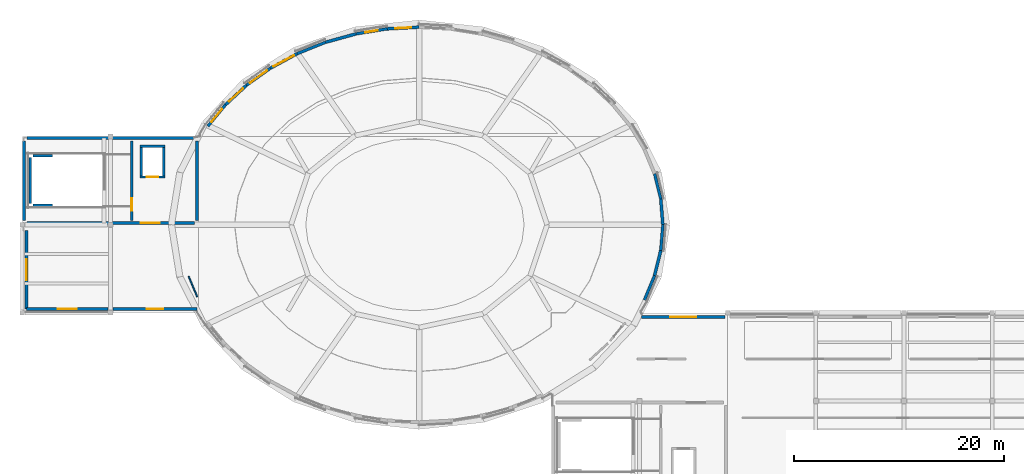
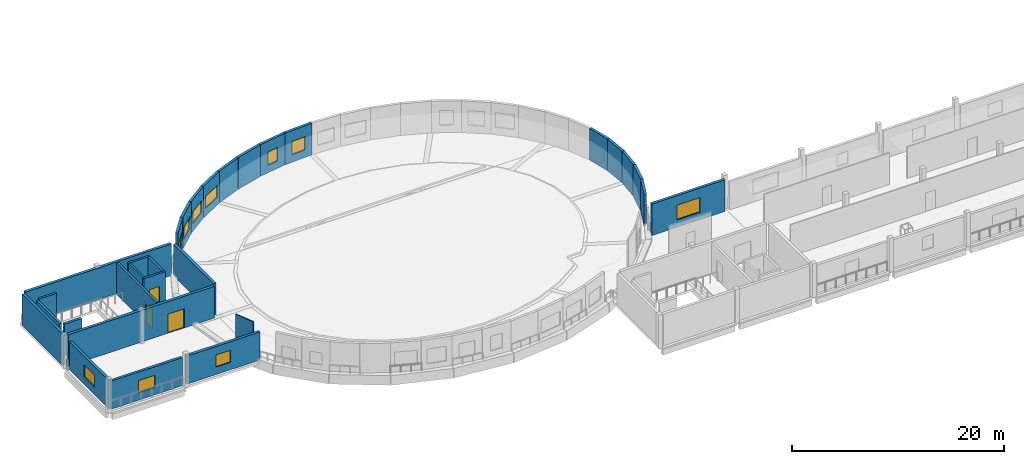
# One storey, part 8 of 16: 30 walls, 10 windows, 3 doors, 13 openings.
"""IFC4 building model written with IfcOpenShell, lengths in metres."""

from ifc_helpers import new_model, si_unit, derived_unit, direction, frame, frame_2d, origin, place, context, subcontext, project, spatial, rectangle, extrude, material, layer, layer_set, type_object, element, fill, save


model = new_model("IFC4")

# Units and contexts
model_context = context("Model", 3, precision=1e-05, world=origin(), true_north=direction((0.0, 1.0)))
body_context = subcontext(model_context, "Body", "Model", "MODEL_VIEW")
ifc_project = project(units=[si_unit("LENGTHUNIT", "METRE"), si_unit("AREAUNIT", "SQUARE_METRE"), si_unit("VOLUMEUNIT", "CUBIC_METRE"), si_unit("PLANEANGLEUNIT", "RADIAN"), si_unit("MASSUNIT", "GRAM", prefix="KILO"), derived_unit("THERMALTRANSMITTANCEUNIT", [(si_unit("POWERUNIT", "WATT"), 1), (si_unit("LENGTHUNIT", "METRE"), -2), (si_unit("THERMODYNAMICTEMPERATUREUNIT", "KELVIN"), -1)])], contexts=[model_context])

# Site, building, storey
site_placement = place(None, origin())
site = spatial("IfcSite", under=ifc_project, at=site_placement, CompositionType="ELEMENT")
building_placement = place(site_placement, origin())
building = spatial("IfcBuilding", under=site, at=building_placement, Name="Elbkamm Science Centre", CompositionType="ELEMENT")
storey_placement = place(building_placement, frame((0.0, 0.0, 21.60009765625)))
storey = spatial("IfcBuildingStorey", under=building, at=storey_placement, Name="L05", CompositionType="ELEMENT", Elevation=21.60009765625)

# Walls
ifc_material_1 = material(Name="Reinforced concrete C40/50", Category="concrete")
ifc_layer_1 = layer(ifc_material_1, 0.25)
ifc_layer_set_1 = layer_set([ifc_layer_1], Name="Reinforced concrete C40/50")
wall_type_1 = type_object("IfcWallType", Name="WL-CORE-250", PredefinedType="SHEAR", material=ifc_layer_set_1)
wall_1_placement = place(storey_placement, frame((25.93994140625, 69.219970703125, 0.0), z_axis=(0.0, 0.0, 1.0), x_axis=(0.0, 1.0, 0.0)))
element("IfcWall", 1, at=wall_1_placement, inside=storey, type_object=wall_type_1, Name="L05 ST-C1 Shaft Bearing Wall W", PredefinedType="SHEAR", context=body_context, shape_type="SweptSolid", body=[
    extrude(rectangle(XDim=4.360107421875, YDim=0.25, at=frame_2d((2.18017578125, 0.0))), origin(), (0.0, 0.0, 1.0), 3.639892578125),
])
for number, where, z_axis, x_axis, name in (
    (2, (26.18994140625, 69.02001953125, 0.0), (0.0, 0.0, 1.0), (1.0, 0.0, 0.0), "L05 ST-C1 Shaft Bearing Wall S"),
    (3, (26.18994140625, 73.780029296875, 0.0), (0.0, 0.0, 1.0), (1.0, 0.0, 0.0), "L05 ST-C1 Shaft Bearing Wall N"),
):
    element("IfcWall", number, at=place(storey_placement, frame(where, z_axis=z_axis, x_axis=x_axis)), inside=storey, type_object=wall_type_1, Name=name, PredefinedType="SHEAR", context=body_context, shape_type="SweptSolid", body=[
        extrude(rectangle(XDim=1.89013671875, YDim=0.25, at=frame_2d((0.945068359375, 0.0))), origin(), (0.0, 0.0, 1.0), 3.639892578125),
    ])

# Wall, opening, door
wall_2_placement = place(storey_placement, frame((35.6201171875, 67.6201171875, 0.0), z_axis=(0.0, 0.0, 1.0), x_axis=(0.0, 1.0, 0.0)))
wall_2 = element("IfcWall", 4, at=wall_2_placement, inside=storey, type_object=wall_type_1, Name="L05 C1 Stairwell Compartment Wall", PredefinedType="SHEAR", context=body_context, shape_type="SweptSolid", body=[
    extrude(rectangle(XDim=7.559814453125, YDim=0.25, at=frame_2d((3.77978515625, 0.0))), origin(), (0.0, 0.0, 1.0), 3.639892578125),
])
opening_1_placement = place(wall_2_placement, frame((0.89990234375, 0.0, 0.0)))
opening_1 = element("IfcOpeningElement", 5, at=opening_1_placement, cuts=wall_2, Name="Opening DC-02", PredefinedType="OPENING", context=body_context, shape_type="SweptSolid", body=[
    extrude(rectangle(XDim=1.199951171875, YDim=2.199951171875, at=frame_2d((0.60009765625, 1.10009765625))), frame((0.0, 0.136962890625, 0.0), z_axis=(0.0, -1.0, 0.0), x_axis=(1.0, 0.0, 0.0)), (0.0, 0.0, 1.0), 0.27392578125),
])
ifc_material_2 = material(Name="Fire-rated steel acoustic door", Category="steel")
ifc_layer_2 = layer(ifc_material_2, 0.050048828125)
ifc_layer_set_2 = layer_set([ifc_layer_2], Name="Fire-rated steel acoustic door")
door_type_1 = type_object("IfcDoorType", Name="DR-CORE-1200x2200", OperationType="NOTDEFINED", PredefinedType="DOOR", material=ifc_layer_set_2)
door_1_placement = place(opening_1_placement, origin())
door_1 = element("IfcDoor", 6, at=door_1_placement, inside=storey, type_object=door_type_1, Name="L05 ST-C1 Stairwell Fire Door", OperationType="SINGLE_SWING_LEFT", OverallHeight=2.199951171875, OverallWidth=1.199951171875, PredefinedType="DOOR", context=body_context, shape_type="SweptSolid", body=[
    extrude(rectangle(XDim=1.199951171875, YDim=2.199951171875, at=frame_2d((0.60009765625, 1.10009765625))), frame((0.0, 0.02490234375, 0.0), z_axis=(0.0, -1.0, 0.0), x_axis=(1.0, 0.0, 0.0)), (0.0, 0.0, 1.0), 0.050048828125),
])
fill(opening_1, door_1)

ifc_layer_3 = layer(ifc_material_1, 0.300048828125)
ifc_layer_set_3 = layer_set([ifc_layer_3], Name="Reinforced concrete C40/50")
wall_type_2 = type_object("IfcWallType", Name="WL-CORE-300", PredefinedType="SHEAR", material=ifc_layer_set_3)
wall_3_placement = place(storey_placement, frame((25.6201171875, 67.35009765625, 0.0), z_axis=(0.0, 0.0, 1.0), x_axis=(1.0, 0.0, 0.0)))
wall_3 = element("IfcWall", 7, at=wall_3_placement, inside=storey, type_object=wall_type_2, Name="L05 Core C1 Northwest Planetarium and Exhibition Core Shear Wall S", PredefinedType="SHEAR", context=body_context, shape_type="SweptSolid", body=[
    extrude(rectangle(XDim=15.9599609375, YDim=0.300048828125, at=frame_2d((7.97998046875, 0.0))), origin(), (0.0, 0.0, 1.0), 3.639892578125),
])
opening_2_placement = place(wall_3_placement, frame((10.860107421875, 0.0, 0.0)))
opening_2 = element("IfcOpeningElement", 8, at=opening_2_placement, cuts=wall_3, Name="Opening DC-01", PredefinedType="OPENING", context=body_context, shape_type="SweptSolid", body=[
    extrude(rectangle(XDim=1.800048828125, YDim=2.199951171875, at=frame_2d((0.89990234375, 1.10009765625))), frame((0.0, 0.162109375, 0.0), z_axis=(0.0, -1.0, 0.0), x_axis=(1.0, 0.0, 0.0)), (0.0, 0.0, 1.0), 0.323974609375),
])
ifc_layer_4 = layer(ifc_material_2, 0.050048828125)
ifc_layer_set_4 = layer_set([ifc_layer_4], Name="Fire-rated steel acoustic door")
door_type_2 = type_object("IfcDoorType", Name="DR-CORE-1800x2200", OperationType="DOUBLE_DOOR_SINGLE_SWING", PredefinedType="DOOR", material=ifc_layer_set_4)
door_2_placement = place(opening_2_placement, origin())
door_2 = element("IfcDoor", 9, at=door_2_placement, inside=storey, type_object=door_type_2, Name="L05 C1 Core Lobby Fire Door", OperationType="DOUBLE_DOOR_SINGLE_SWING", OverallHeight=2.199951171875, OverallWidth=1.800048828125, PredefinedType="DOOR", context=body_context, shape_type="SweptSolid", body=[
    extrude(rectangle(XDim=1.800048828125, YDim=2.199951171875, at=frame_2d((0.89990234375, 1.10009765625))), frame((0.0, 0.02490234375, 0.0), z_axis=(0.0, -1.0, 0.0), x_axis=(1.0, 0.0, 0.0)), (0.0, 0.0, 1.0), 0.050048828125),
])
fill(opening_2, door_2)

# Walls
wall_4_placement = place(storey_placement, frame((25.6201171875, 75.449951171875, 0.0), z_axis=(0.0, 0.0, 1.0), x_axis=(1.0, 0.0, 0.0)))
element("IfcWall", 10, at=wall_4_placement, inside=storey, type_object=wall_type_2, Name="L05 Core C1 Northwest Planetarium and Exhibition Core Shear Wall N", PredefinedType="SHEAR", context=body_context, shape_type="SweptSolid", body=[
    extrude(rectangle(XDim=15.9599609375, YDim=0.300048828125, at=frame_2d((7.97998046875, 0.0))), origin(), (0.0, 0.0, 1.0), 3.639892578125),
])
for number, where, z_axis, x_axis, name in (
    (11, (25.35009765625, 67.6201171875, 0.0), (0.0, 0.0, 1.0), (0.0, 1.0, 0.0), "L05 Core C1 Northwest Planetarium and Exhibition Core Shear Wall W"),
    (12, (41.85009765625, 67.6201171875, 0.0), (0.0, 0.0, 1.0), (0.0, 1.0, 0.0), "L05 Core C1 Northwest Planetarium and Exhibition Core Shear Wall E"),
):
    element("IfcWall", number, at=place(storey_placement, frame(where, z_axis=z_axis, x_axis=x_axis)), inside=storey, type_object=wall_type_2, Name=name, PredefinedType="SHEAR", context=body_context, shape_type="SweptSolid", body=[
        extrude(rectangle(XDim=7.559814453125, YDim=0.300048828125, at=frame_2d((3.77978515625, 0.0))), origin(), (0.0, 0.0, 1.0), 3.639892578125),
    ])

# Wall, opening, window
ifc_material_3 = material(Name="White precast concrete C40/50", Category="concrete")
ifc_layer_5 = layer(ifc_material_3, 0.27001953125)
ifc_layer_set_5 = layer_set([ifc_layer_5], Name="White precast concrete C40/50")
wall_type_3 = type_object("IfcWallType", Name="WL-EXT-270", PredefinedType="SOLIDWALL", material=ifc_layer_set_5)
wall_5_placement = place(storey_placement, frame((42.872802734375, 76.579833984375, 0.0), z_axis=(0.0, 0.0, 1.0), x_axis=(0.634656882202, 0.772794048809, 0.0)))
wall_5 = element("IfcWall", 13, at=wall_5_placement, inside=storey, type_object=wall_type_3, Name="L05 Exterior Wall 0311", PredefinedType="SOLIDWALL", context=body_context, shape_type="SweptSolid", body=[
    extrude(rectangle(XDim=2.6494140625, YDim=0.27001953125, at=frame_2d((1.32470703125, 0.0))), origin(), (0.0, 0.0, 1.0), 3.639892578125),
])
opening_3_placement = place(wall_5_placement, frame((0.524658203125, 0.0, 0.85009765625)))
opening_3 = element("IfcOpeningElement", 14, at=opening_3_placement, cuts=wall_5, Name="Opening W-03", PredefinedType="OPENING", context=body_context, shape_type="SweptSolid", body=[
    extrude(rectangle(XDim=1.60009765625, YDim=1.39990234375, at=frame_2d((0.800048828125, 0.699951171875))), frame((0.0, 0.14697265625, 0.0), z_axis=(0.0, -1.0, 0.0), x_axis=(1.0, 0.0, 0.0)), (0.0, 0.0, 1.0), 0.2939453125),
])
ifc_material_4 = material(Name="Thermally broken aluminium and triple solar glass", Category="aluminium")
ifc_layer_6 = layer(ifc_material_4, 0.06005859375)
ifc_layer_set_6 = layer_set([ifc_layer_6], Name="Thermally broken aluminium and triple solar glass")
window_type_1 = type_object("IfcWindowType", Name="WIN-1600x1400", PartitioningType="SINGLE_PANEL", PredefinedType="WINDOW", material=ifc_layer_set_6)
window_1_placement = place(opening_3_placement, origin())
window_1 = element("IfcWindow", 15, at=window_1_placement, inside=storey, type_object=window_type_1, Name="L05 Facade Window 0082", OverallHeight=1.39990234375, OverallWidth=1.60009765625, PartitioningType="SINGLE_PANEL", PredefinedType="WINDOW", context=body_context, shape_type="SweptSolid", body=[
    extrude(rectangle(XDim=1.60009765625, YDim=1.39990234375, at=frame_2d((0.800048828125, 0.699951171875))), frame((0.0, 0.030029296875, 0.0), z_axis=(0.0, -1.0, 0.0), x_axis=(1.0, 0.0, 0.0)), (0.0, 0.0, 1.0), 0.06005859375),
])
fill(opening_3, window_1)

wall_6_placement = place(storey_placement, frame((46.552978515625, 80.481201171875, 0.0), z_axis=(0.0, 0.0, 1.0), x_axis=(0.813998177016, 0.580867427056, 0.0)))
wall_6 = element("IfcWall", 16, at=wall_6_placement, inside=storey, type_object=wall_type_3, Name="L05 Exterior Wall 0313", PredefinedType="SOLIDWALL", context=body_context, shape_type="SweptSolid", body=[
    extrude(rectangle(XDim=2.803466796875, YDim=0.27001953125, at=frame_2d((1.40185546875, 0.0))), origin(), (0.0, 0.0, 1.0), 3.639892578125),
])
opening_4_placement = place(wall_6_placement, frame((0.401611328125, 0.0, 0.85009765625)))
opening_4 = element("IfcOpeningElement", 17, at=opening_4_placement, cuts=wall_6, Name="Opening W-05", PredefinedType="OPENING", context=body_context, shape_type="SweptSolid", body=[
    extrude(rectangle(XDim=2.0, YDim=1.39990234375, at=frame_2d((1.0, 0.699951171875))), frame((0.0, 0.14697265625, 0.0), z_axis=(0.0, -1.0, 0.0), x_axis=(1.0, 0.0, 0.0)), (0.0, 0.0, 1.0), 0.2939453125),
])
ifc_layer_7 = layer(ifc_material_4, 0.06005859375)
ifc_layer_set_7 = layer_set([ifc_layer_7], Name="Thermally broken aluminium and triple solar glass")
window_type_2 = type_object("IfcWindowType", Name="WIN-2000x1400", PartitioningType="DOUBLE_PANEL_VERTICAL", PredefinedType="WINDOW", material=ifc_layer_set_7)
window_2_placement = place(opening_4_placement, origin())
window_2 = element("IfcWindow", 18, at=window_2_placement, inside=storey, type_object=window_type_2, Name="L05 Facade Window 0084", OverallHeight=1.39990234375, OverallWidth=2.0, PartitioningType="SINGLE_PANEL", PredefinedType="WINDOW", context=body_context, shape_type="SweptSolid", body=[
    extrude(rectangle(XDim=2.0, YDim=1.39990234375, at=frame_2d((1.0, 0.699951171875))), frame((0.0, 0.030029296875, 0.0), z_axis=(0.0, -1.0, 0.0), x_axis=(1.0, 0.0, 0.0)), (0.0, 0.0, 1.0), 0.06005859375),
])
fill(opening_4, window_2)

# Wall
wall_7_placement = place(storey_placement, frame((51.362060546875, 83.4833984375, 0.0), z_axis=(0.0, 0.0, 1.0), x_axis=(0.928103923172, 0.372321242736, 0.0)))
element("IfcWall", 19, at=wall_7_placement, inside=storey, type_object=wall_type_3, Name="L05 Exterior Wall 0315", PredefinedType="SOLIDWALL", context=body_context, shape_type="SweptSolid", body=[
    extrude(rectangle(XDim=2.939697265625, YDim=0.27001953125, at=frame_2d((1.4697265625, 0.0))), origin(), (0.0, 0.0, 1.0), 3.639892578125),
])

# Wall, opening, window
wall_8_placement = place(storey_placement, frame((56.97314453125, 85.3740234375, 0.0), z_axis=(0.0, 0.0, 1.0), x_axis=(0.987157109387, 0.159752437809, 0.0)))
wall_8 = element("IfcWall", 20, at=wall_8_placement, inside=storey, type_object=wall_type_3, Name="L05 Exterior Wall 0317", PredefinedType="SOLIDWALL", context=body_context, shape_type="SweptSolid", body=[
    extrude(rectangle(XDim=3.02587890625, YDim=0.27001953125, at=frame_2d((1.512939453125, 0.0))), origin(), (0.0, 0.0, 1.0), 3.639892578125),
])
opening_5_placement = place(wall_8_placement, frame((0.9130859375, 0.0, 0.85009765625)))
opening_5 = element("IfcOpeningElement", 21, at=opening_5_placement, cuts=wall_8, Name="Opening W-09", PredefinedType="OPENING", context=body_context, shape_type="SweptSolid", body=[
    extrude(rectangle(XDim=1.199951171875, YDim=1.550048828125, at=frame_2d((0.60009765625, 0.77490234375))), frame((0.0, 0.14697265625, 0.0), z_axis=(0.0, -1.0, 0.0), x_axis=(1.0, 0.0, 0.0)), (0.0, 0.0, 1.0), 0.2939453125),
])
ifc_layer_8 = layer(ifc_material_4, 0.06005859375)
ifc_layer_set_8 = layer_set([ifc_layer_8], Name="Thermally broken aluminium and triple solar glass")
window_type_3 = type_object("IfcWindowType", Name="WIN-1200x1550", PartitioningType="SINGLE_PANEL", PredefinedType="WINDOW", material=ifc_layer_set_8)
window_3_placement = place(opening_5_placement, origin())
window_3 = element("IfcWindow", 22, at=window_3_placement, inside=storey, type_object=window_type_3, Name="L05 Facade Window 0088", OverallHeight=1.550048828125, OverallWidth=1.199951171875, PartitioningType="SINGLE_PANEL", PredefinedType="WINDOW", context=body_context, shape_type="SweptSolid", body=[
    extrude(rectangle(XDim=1.199951171875, YDim=1.550048828125, at=frame_2d((0.60009765625, 0.77490234375))), frame((0.0, 0.030029296875, 0.0), z_axis=(0.0, -1.0, 0.0), x_axis=(1.0, 0.0, 0.0)), (0.0, 0.0, 1.0), 0.06005859375),
])
fill(opening_5, window_3)

# Walls
wall_9_placement = place(storey_placement, frame((85.43359375, 72.05029296875, 0.0), z_axis=(0.0, 0.0, 1.0), x_axis=(0.237544068793, -0.971376762838, 0.0)))
element("IfcWall", 23, at=wall_9_placement, inside=storey, type_object=wall_type_3, Name="L05 Exterior Wall 0329", PredefinedType="SOLIDWALL", context=body_context, shape_type="SweptSolid", body=[
    extrude(rectangle(XDim=2.475830078125, YDim=0.27001953125, at=frame_2d((1.23779296875, 0.0))), origin(), (0.0, 0.0, 1.0), 3.639892578125),
])
wall_10_placement = place(storey_placement, frame((86.21875, 67.199951171875, 0.0), z_axis=(0.0, 0.0, 1.0), x_axis=(-0.080310831045, -0.996769868333, 0.0)))
element("IfcWall", 24, at=wall_10_placement, inside=storey, type_object=wall_type_3, Name="L05 Exterior Wall 0331", PredefinedType="SOLIDWALL", context=body_context, shape_type="SweptSolid", body=[
    extrude(rectangle(XDim=2.453125, YDim=0.27001953125, at=frame_2d((1.2265625, 0.0))), origin(), (0.0, 0.0, 1.0), 3.639892578125),
])
wall_11_placement = place(storey_placement, frame((85.43359375, 62.349609375, 0.0), z_axis=(0.0, 0.0, 1.0), x_axis=(-0.38502143733, -0.922907629612, 0.0)))
element("IfcWall", 25, at=wall_11_placement, inside=storey, type_object=wall_type_3, Name="L05 Exterior Wall 0333", PredefinedType="SOLIDWALL", context=body_context, shape_type="SweptSolid", body=[
    extrude(rectangle(XDim=2.5185546875, YDim=0.27001953125, at=frame_2d((1.25927734375, 0.0))), origin(), (0.0, 0.0, 1.0), 3.639892578125),
])

# Wall, opening, window
wall_12_placement = place(storey_placement, frame((33.36083984375, 59.179931640625, 0.0), z_axis=(0.0, 0.0, 1.0), x_axis=(-1.0, 0.0, 0.0)))
wall_12 = element("IfcWall", 26, at=wall_12_placement, inside=storey, type_object=wall_type_3, Name="L05 Exterior Wall 0359", PredefinedType="SOLIDWALL", context=body_context, shape_type="SweptSolid", body=[
    extrude(rectangle(XDim=7.78076171875, YDim=0.27001953125, at=frame_2d((3.890380859375, 0.0))), origin(), (0.0, 0.0, 1.0), 3.239990234375),
])
opening_6_placement = place(wall_12_placement, frame((2.990478515625, 0.0, 0.85009765625)))
opening_6 = element("IfcOpeningElement", 27, at=opening_6_placement, cuts=wall_12, Name="Opening W-04", PredefinedType="OPENING", context=body_context, shape_type="SweptSolid", body=[
    extrude(rectangle(XDim=1.800048828125, YDim=1.39990234375, at=frame_2d((0.89990234375, 0.699951171875))), frame((0.0, 0.14697265625, 0.0), z_axis=(0.0, -1.0, 0.0), x_axis=(1.0, 0.0, 0.0)), (0.0, 0.0, 1.0), 0.2939453125),
])
ifc_layer_9 = layer(ifc_material_4, 0.06005859375)
ifc_layer_set_9 = layer_set([ifc_layer_9], Name="Thermally broken aluminium and triple solar glass")
window_type_4 = type_object("IfcWindowType", Name="WIN-1800x1400", PartitioningType="DOUBLE_PANEL_VERTICAL", PredefinedType="WINDOW", material=ifc_layer_set_9)
window_4_placement = place(opening_6_placement, origin())
window_4 = element("IfcWindow", 28, at=window_4_placement, inside=storey, type_object=window_type_4, Name="L05 Facade Window 0123", OverallHeight=1.39990234375, OverallWidth=1.800048828125, PartitioningType="SINGLE_PANEL", PredefinedType="WINDOW", context=body_context, shape_type="SweptSolid", body=[
    extrude(rectangle(XDim=1.800048828125, YDim=1.39990234375, at=frame_2d((0.89990234375, 0.699951171875))), frame((0.0, 0.030029296875, 0.0), z_axis=(0.0, -1.0, 0.0), x_axis=(1.0, 0.0, 0.0)), (0.0, 0.0, 1.0), 0.06005859375),
])
fill(opening_6, window_4)

ifc_layer_10 = layer(ifc_material_3, 0.2900390625)
ifc_layer_set_10 = layer_set([ifc_layer_10], Name="White precast concrete C40/50")
wall_type_4 = type_object("IfcWallType", Name="WL-EXT-290", PredefinedType="SOLIDWALL", material=ifc_layer_set_10)
wall_13_placement = place(storey_placement, frame((44.55419921875, 78.627197265625, 0.0), z_axis=(0.0, 0.0, 1.0), x_axis=(0.733160179317, 0.680055991418, 0.0)))
wall_13 = element("IfcWall", 29, at=wall_13_placement, inside=storey, type_object=wall_type_4, Name="L05 Exterior Wall 0312", PredefinedType="SOLIDWALL", context=body_context, shape_type="SweptSolid", body=[
    extrude(rectangle(XDim=2.726318359375, YDim=0.2900390625, at=frame_2d((1.36328125, 0.0))), origin(), (0.0, 0.0, 1.0), 3.639892578125),
])
opening_7_placement = place(wall_13_placement, frame((0.463134765625, 0.0, 0.85009765625)))
opening_7 = element("IfcOpeningElement", 30, at=opening_7_placement, cuts=wall_13, Name="Opening W-04", PredefinedType="OPENING", context=body_context, shape_type="SweptSolid", body=[
    extrude(rectangle(XDim=1.800048828125, YDim=1.39990234375, at=frame_2d((0.89990234375, 0.699951171875))), frame((0.0, 0.156982421875, 0.0), z_axis=(0.0, -1.0, 0.0), x_axis=(1.0, 0.0, 0.0)), (0.0, 0.0, 1.0), 0.31396484375),
])
window_5_placement = place(opening_7_placement, origin())
window_5 = element("IfcWindow", 31, at=window_5_placement, inside=storey, type_object=window_type_4, Name="L05 Facade Window 0083", OverallHeight=1.39990234375, OverallWidth=1.800048828125, PartitioningType="SINGLE_PANEL", PredefinedType="WINDOW", context=body_context, shape_type="SweptSolid", body=[
    extrude(rectangle(XDim=1.800048828125, YDim=1.39990234375, at=frame_2d((0.89990234375, 0.699951171875))), frame((0.0, 0.030029296875, 0.0), z_axis=(0.0, -1.0, 0.0), x_axis=(1.0, 0.0, 0.0)), (0.0, 0.0, 1.0), 0.06005859375),
])
fill(opening_7, window_5)

wall_14_placement = place(storey_placement, frame((48.8349609375, 82.109619140625, 0.0), z_axis=(0.0, 0.0, 1.0), x_axis=(0.878572636194, 0.477608755083, 0.0)))
wall_14 = element("IfcWall", 32, at=wall_14_placement, inside=storey, type_object=wall_type_4, Name="L05 Exterior Wall 0314", PredefinedType="SOLIDWALL", context=body_context, shape_type="SweptSolid", body=[
    extrude(rectangle(XDim=2.87646484375, YDim=0.2900390625, at=frame_2d((1.438232421875, 0.0))), origin(), (0.0, 0.0, 1.0), 3.639892578125),
])
opening_8_placement = place(wall_14_placement, frame((0.338134765625, 0.0, 0.85009765625)))
opening_8 = element("IfcOpeningElement", 33, at=opening_8_placement, cuts=wall_14, Name="Opening W-06", PredefinedType="OPENING", context=body_context, shape_type="SweptSolid", body=[
    extrude(rectangle(XDim=2.199951171875, YDim=1.39990234375, at=frame_2d((1.10009765625, 0.699951171875))), frame((0.0, 0.156982421875, 0.0), z_axis=(0.0, -1.0, 0.0), x_axis=(1.0, 0.0, 0.0)), (0.0, 0.0, 1.0), 0.31396484375),
])
ifc_layer_11 = layer(ifc_material_4, 0.06005859375)
ifc_layer_set_11 = layer_set([ifc_layer_11], Name="Thermally broken aluminium and triple solar glass")
window_type_5 = type_object("IfcWindowType", Name="WIN-2200x1400", PartitioningType="DOUBLE_PANEL_VERTICAL", PredefinedType="WINDOW", material=ifc_layer_set_11)
window_6_placement = place(opening_8_placement, origin())
window_6 = element("IfcWindow", 34, at=window_6_placement, inside=storey, type_object=window_type_5, Name="L05 Facade Window 0085", OverallHeight=1.39990234375, OverallWidth=2.199951171875, PartitioningType="SINGLE_PANEL", PredefinedType="WINDOW", context=body_context, shape_type="SweptSolid", body=[
    extrude(rectangle(XDim=2.199951171875, YDim=1.39990234375, at=frame_2d((1.10009765625, 0.699951171875))), frame((0.0, 0.030029296875, 0.0), z_axis=(0.0, -1.0, 0.0), x_axis=(1.0, 0.0, 0.0)), (0.0, 0.0, 1.0), 0.06005859375),
])
fill(opening_8, window_6)

# Wall
wall_15_placement = place(storey_placement, frame((54.09033203125, 84.577880859375, 0.0), z_axis=(0.0, 0.0, 1.0), x_axis=(0.963916809665, 0.26620365145, 0.0)))
element("IfcWall", 35, at=wall_15_placement, inside=storey, type_object=wall_type_4, Name="L05 Exterior Wall 0316", PredefinedType="SOLIDWALL", context=body_context, shape_type="SweptSolid", body=[
    extrude(rectangle(XDim=2.99072265625, YDim=0.2900390625, at=frame_2d((1.495361328125, 0.0))), origin(), (0.0, 0.0, 1.0), 3.639892578125),
])

# Wall, opening, window
wall_16_placement = place(storey_placement, frame((59.960205078125, 85.857421875, 0.0), z_axis=(0.0, 0.0, 1.0), x_axis=(0.998581032149, 0.053253377668, 0.0)))
wall_16 = element("IfcWall", 36, at=wall_16_placement, inside=storey, type_object=wall_type_4, Name="L05 Exterior Wall 0318", PredefinedType="SOLIDWALL", context=body_context, shape_type="SweptSolid", body=[
    extrude(rectangle(XDim=3.044189453125, YDim=0.2900390625, at=frame_2d((1.52197265625, 0.0))), origin(), (0.0, 0.0, 1.0), 3.639892578125),
])
opening_9_placement = place(wall_16_placement, frame((0.772216796875, 0.0, 0.85009765625)))
opening_9 = element("IfcOpeningElement", 37, at=opening_9_placement, cuts=wall_16, Name="Opening W-10", PredefinedType="OPENING", context=body_context, shape_type="SweptSolid", body=[
    extrude(rectangle(XDim=1.5, YDim=1.550048828125, at=frame_2d((0.75, 0.77490234375))), frame((0.0, 0.156982421875, 0.0), z_axis=(0.0, -1.0, 0.0), x_axis=(1.0, 0.0, 0.0)), (0.0, 0.0, 1.0), 0.31396484375),
])
ifc_layer_12 = layer(ifc_material_4, 0.06005859375)
ifc_layer_set_12 = layer_set([ifc_layer_12], Name="Thermally broken aluminium and triple solar glass")
window_type_6 = type_object("IfcWindowType", Name="WIN-1500x1550", PartitioningType="SINGLE_PANEL", PredefinedType="WINDOW", material=ifc_layer_set_12)
window_7_placement = place(opening_9_placement, origin())
window_7 = element("IfcWindow", 38, at=window_7_placement, inside=storey, type_object=window_type_6, Name="L05 Facade Window 0089", OverallHeight=1.550048828125, OverallWidth=1.5, PartitioningType="SINGLE_PANEL", PredefinedType="WINDOW", context=body_context, shape_type="SweptSolid", body=[
    extrude(rectangle(XDim=1.5, YDim=1.550048828125, at=frame_2d((0.75, 0.77490234375))), frame((0.0, 0.030029296875, 0.0), z_axis=(0.0, -1.0, 0.0), x_axis=(1.0, 0.0, 0.0)), (0.0, 0.0, 1.0), 0.06005859375),
])
fill(opening_9, window_7)

# Walls
wall_17_placement = place(storey_placement, frame((86.021728515625, 69.645263671875, 0.0), z_axis=(0.0, 0.0, 1.0), x_axis=(0.080310831045, -0.996769868333, 0.0)))
element("IfcWall", 39, at=wall_17_placement, inside=storey, type_object=wall_type_4, Name="L05 Exterior Wall 0330", PredefinedType="SOLIDWALL", context=body_context, shape_type="SweptSolid", body=[
    extrude(rectangle(XDim=2.453125, YDim=0.2900390625, at=frame_2d((1.2265625, 0.0))), origin(), (0.0, 0.0, 1.0), 3.639892578125),
])
wall_18_placement = place(storey_placement, frame((86.021728515625, 64.754638671875, 0.0), z_axis=(0.0, 0.0, 1.0), x_axis=(-0.237544068793, -0.971376762838, 0.0)))
element("IfcWall", 40, at=wall_18_placement, inside=storey, type_object=wall_type_4, Name="L05 Exterior Wall 0332", PredefinedType="SOLIDWALL", context=body_context, shape_type="SweptSolid", body=[
    extrude(rectangle(XDim=2.475830078125, YDim=0.2900390625, at=frame_2d((1.23779296875, 0.0))), origin(), (0.0, 0.0, 1.0), 3.639892578125),
])

# Wall, opening, window
wall_19_placement = place(storey_placement, frame((84.16552734375, 58.419921875, 0.0), z_axis=(0.0, 0.0, 1.0), x_axis=(1.0, 0.0, 0.0)))
wall_19 = element("IfcWall", 41, at=wall_19_placement, inside=storey, type_object=wall_type_4, Name="L05 Exterior Wall 0334", PredefinedType="SOLIDWALL", context=body_context, shape_type="SweptSolid", body=[
    extrude(rectangle(XDim=7.995361328125, YDim=0.2900390625, at=frame_2d((3.99755859375, 0.0))), origin(), (0.0, 0.0, 1.0), 3.639892578125),
])
opening_10_placement = place(wall_19_placement, frame((2.747802734375, 0.0, 0.85009765625)))
opening_10 = element("IfcOpeningElement", 42, at=opening_10_placement, cuts=wall_19, Name="Opening W-19", PredefinedType="OPENING", context=body_context, shape_type="SweptSolid", body=[
    extrude(rectangle(XDim=2.5, YDim=1.699951171875, at=frame_2d((1.25, 0.85009765625))), frame((0.0, 0.156982421875, 0.0), z_axis=(0.0, -1.0, 0.0), x_axis=(1.0, 0.0, 0.0)), (0.0, 0.0, 1.0), 0.31396484375),
])
ifc_layer_13 = layer(ifc_material_4, 0.06005859375)
ifc_layer_set_13 = layer_set([ifc_layer_13], Name="Thermally broken aluminium and triple solar glass")
window_type_7 = type_object("IfcWindowType", Name="WIN-2500x1700", PartitioningType="DOUBLE_PANEL_VERTICAL", PredefinedType="WINDOW", material=ifc_layer_set_13)
window_8_placement = place(opening_10_placement, origin())
window_8 = element("IfcWindow", 43, at=window_8_placement, inside=storey, type_object=window_type_7, Name="L05 Facade Window 0098", OverallHeight=1.699951171875, OverallWidth=2.5, PartitioningType="SINGLE_PANEL", PredefinedType="WINDOW", context=body_context, shape_type="SweptSolid", body=[
    extrude(rectangle(XDim=2.5, YDim=1.699951171875, at=frame_2d((1.25, 0.85009765625))), frame((0.0, 0.030029296875, 0.0), z_axis=(0.0, -1.0, 0.0), x_axis=(1.0, 0.0, 0.0)), (0.0, 0.0, 1.0), 0.06005859375),
])
fill(opening_10, window_8)

wall_20_placement = place(storey_placement, frame((41.83447265625, 59.179931640625, 0.0), z_axis=(0.0, 0.0, 1.0), x_axis=(-1.0, 0.0, 0.0)))
wall_20 = element("IfcWall", 44, at=wall_20_placement, inside=storey, type_object=wall_type_4, Name="L05 Exterior Wall 0358", PredefinedType="SOLIDWALL", context=body_context, shape_type="SweptSolid", body=[
    extrude(rectangle(XDim=7.995361328125, YDim=0.2900390625, at=frame_2d((3.99755859375, 0.0))), origin(), (0.0, 0.0, 1.0), 3.239990234375),
])
opening_11_placement = place(wall_20_placement, frame((3.19775390625, 0.0, 0.85009765625)))
opening_11 = element("IfcOpeningElement", 45, at=opening_11_placement, cuts=wall_20, Name="Opening W-03", PredefinedType="OPENING", context=body_context, shape_type="SweptSolid", body=[
    extrude(rectangle(XDim=1.60009765625, YDim=1.39990234375, at=frame_2d((0.800048828125, 0.699951171875))), frame((0.0, 0.156982421875, 0.0), z_axis=(0.0, -1.0, 0.0), x_axis=(1.0, 0.0, 0.0)), (0.0, 0.0, 1.0), 0.31396484375),
])
window_9_placement = place(opening_11_placement, origin())
window_9 = element("IfcWindow", 46, at=window_9_placement, inside=storey, type_object=window_type_1, Name="L05 Facade Window 0122", OverallHeight=1.39990234375, OverallWidth=1.60009765625, PartitioningType="SINGLE_PANEL", PredefinedType="WINDOW", context=body_context, shape_type="SweptSolid", body=[
    extrude(rectangle(XDim=1.60009765625, YDim=1.39990234375, at=frame_2d((0.800048828125, 0.699951171875))), frame((0.0, 0.030029296875, 0.0), z_axis=(0.0, -1.0, 0.0), x_axis=(1.0, 0.0, 0.0)), (0.0, 0.0, 1.0), 0.06005859375),
])
fill(opening_11, window_9)

wall_21_placement = place(storey_placement, frame((25.580078125, 59.179931640625, 0.0), z_axis=(0.0, 0.0, 1.0), x_axis=(0.0, 1.0, 0.0)))
wall_21 = element("IfcWall", 47, at=wall_21_placement, inside=storey, type_object=wall_type_4, Name="L05 Exterior Wall 0360", PredefinedType="SOLIDWALL", context=body_context, shape_type="SweptSolid", body=[
    extrude(rectangle(XDim=7.469970703125, YDim=0.2900390625, at=frame_2d((3.73486328125, 0.0))), origin(), (0.0, 0.0, 1.0), 3.239990234375),
])
opening_12_placement = place(wall_21_placement, frame((2.735107421875, 0.0, 0.85009765625)))
opening_12 = element("IfcOpeningElement", 48, at=opening_12_placement, cuts=wall_21, Name="Opening W-05", PredefinedType="OPENING", context=body_context, shape_type="SweptSolid", body=[
    extrude(rectangle(XDim=2.0, YDim=1.39990234375, at=frame_2d((1.0, 0.699951171875))), frame((0.0, 0.156982421875, 0.0), z_axis=(0.0, -1.0, 0.0), x_axis=(1.0, 0.0, 0.0)), (0.0, 0.0, 1.0), 0.31396484375),
])
window_10_placement = place(opening_12_placement, origin())
window_10 = element("IfcWindow", 49, at=window_10_placement, inside=storey, type_object=window_type_2, Name="L05 Facade Window 0124", OverallHeight=1.39990234375, OverallWidth=2.0, PartitioningType="SINGLE_PANEL", PredefinedType="WINDOW", context=body_context, shape_type="SweptSolid", body=[
    extrude(rectangle(XDim=2.0, YDim=1.39990234375, at=frame_2d((1.0, 0.699951171875))), frame((0.0, 0.030029296875, 0.0), z_axis=(0.0, -1.0, 0.0), x_axis=(1.0, 0.0, 0.0)), (0.0, 0.0, 1.0), 0.06005859375),
])
fill(opening_12, window_10)

# Walls
ifc_material_5 = material(Name="Lightweight metal-stud gypsum partition", Category="gypsum")
ifc_layer_14 = layer(ifc_material_5, 0.125)
ifc_layer_set_14 = layer_set([ifc_layer_14], Name="Lightweight metal-stud gypsum partition")
wall_type_5 = type_object("IfcWallType", Name="WL-PART-125", PredefinedType="PARTITIONING", material=ifc_layer_set_14)
wall_22_placement = place(storey_placement, frame((41.86572265625, 60.324462890625, 0.0), z_axis=(0.0, 0.0, 1.0), x_axis=(-0.387731481278, 0.92177236801, 0.0)))
element("IfcWall", 50, at=wall_22_placement, inside=storey, type_object=wall_type_5, Name="L05 Shell Ring Mezzanine Exhibition Gallery Partition 0274", PredefinedType="PARTITIONING", context=body_context, shape_type="SweptSolid", body=[
    extrude(rectangle(XDim=2.112548828125, YDim=0.125, at=frame_2d((1.05615234375, 0.0))), origin(), (0.0, 0.0, 1.0), 3.639892578125),
])
ifc_layer_15 = layer(ifc_material_1, 0.219970703125)
ifc_layer_set_15 = layer_set([ifc_layer_15], Name="Reinforced concrete C40/50")
wall_type_6 = type_object("IfcWallType", Name="WL-SHAFT-220", PredefinedType="SOLIDWALL", material=ifc_layer_set_15)
for number, where, z_axis, x_axis, name in (
    (51, (36.5400390625, 71.85009765625, 0.0), (0.0, 0.0, 1.0), (0.0, 1.0, 0.0), "L05 Lift FF1 Shaft West Wall"),
    (52, (38.659912109375, 71.85009765625, 0.0), (0.0, 0.0, 1.0), (0.0, 1.0, 0.0), "L05 Lift FF1 Shaft East Wall"),
):
    element("IfcWall", number, at=place(storey_placement, frame(where, z_axis=z_axis, x_axis=x_axis)), inside=storey, type_object=wall_type_6, Name=name, PredefinedType="SOLIDWALL", context=body_context, shape_type="SweptSolid", body=[
        extrude(rectangle(XDim=2.699951171875, YDim=0.219970703125, at=frame_2d((1.35009765625, 0.0))), origin(), (0.0, 0.0, 1.0), 3.639892578125),
    ])
wall_23_placement = place(storey_placement, frame((36.429931640625, 74.659912109375, 0.0), z_axis=(0.0, 0.0, 1.0), x_axis=(1.0, 0.0, 0.0)))
element("IfcWall", 53, at=wall_23_placement, inside=storey, type_object=wall_type_6, Name="L05 Lift FF1 Shaft Back Wall", PredefinedType="SOLIDWALL", context=body_context, shape_type="SweptSolid", body=[
    extrude(rectangle(XDim=2.340087890625, YDim=0.219970703125, at=frame_2d((1.169921875, 0.0))), origin(), (0.0, 0.0, 1.0), 3.639892578125),
])

# Wall, opening, door
wall_24_placement = place(storey_placement, frame((36.429931640625, 71.739990234375, 0.0), z_axis=(0.0, 0.0, 1.0), x_axis=(1.0, 0.0, 0.0)))
wall_24 = element("IfcWall", 54, at=wall_24_placement, inside=storey, type_object=wall_type_6, Name="L05 Lift FF1 Shaft Front Wall", PredefinedType="SOLIDWALL", context=body_context, shape_type="SweptSolid", body=[
    extrude(rectangle(XDim=2.340087890625, YDim=0.219970703125, at=frame_2d((1.169921875, 0.0))), origin(), (0.0, 0.0, 1.0), 3.639892578125),
])
opening_13_placement = place(wall_24_placement, frame((0.6201171875, 0.0, 0.0)))
opening_13 = element("IfcOpeningElement", 55, at=opening_13_placement, cuts=wall_24, Name="Opening LD-01", PredefinedType="OPENING", context=body_context, shape_type="SweptSolid", body=[
    extrude(rectangle(XDim=1.10009765625, YDim=2.14990234375, at=frame_2d((0.550048828125, 1.074951171875))), frame((0.0, 0.1220703125, 0.0), z_axis=(0.0, -1.0, 0.0), x_axis=(1.0, 0.0, 0.0)), (0.0, 0.0, 1.0), 0.243896484375),
])
ifc_material_6 = material(Name="Stainless steel lift landing door", Category="steel")
ifc_layer_16 = layer(ifc_material_6, 0.050048828125)
ifc_layer_set_16 = layer_set([ifc_layer_16], Name="Stainless steel lift landing door")
door_type_3 = type_object("IfcDoorType", Name="DR-LIFT-1100x2150", OperationType="DOUBLE_DOOR_SLIDING", PredefinedType="DOOR", material=ifc_layer_set_16)
door_3_placement = place(opening_13_placement, origin())
door_3 = element("IfcDoor", 56, at=door_3_placement, inside=storey, type_object=door_type_3, Name="L05 Lift FF1 Sliding Landing Door", OperationType="DOUBLE_DOOR_SLIDING", OverallHeight=2.14990234375, OverallWidth=1.10009765625, PredefinedType="DOOR", context=body_context, shape_type="SweptSolid", body=[
    extrude(rectangle(XDim=1.10009765625, YDim=2.14990234375, at=frame_2d((0.550048828125, 1.074951171875))), frame((0.0, 0.02490234375, 0.0), z_axis=(0.0, -1.0, 0.0), x_axis=(1.0, 0.0, 0.0)), (0.0, 0.0, 1.0), 0.050048828125),
])
fill(opening_13, door_3)

save(model, "model.ifc")
